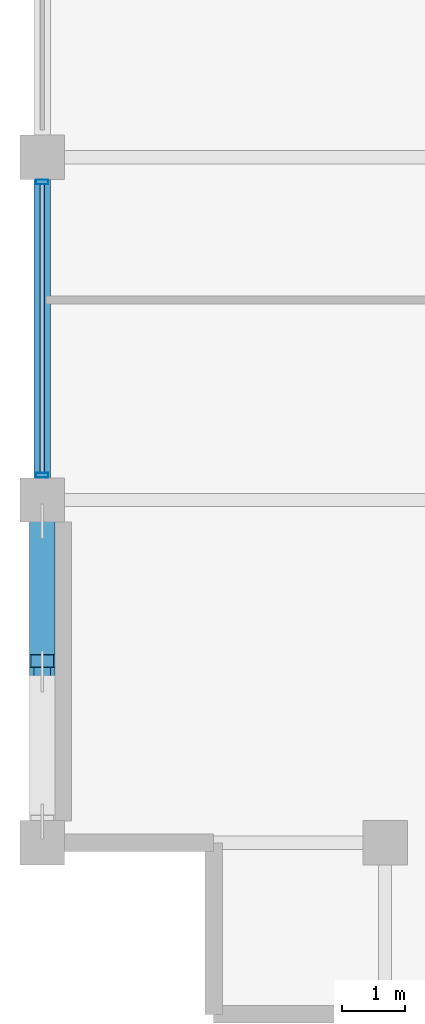
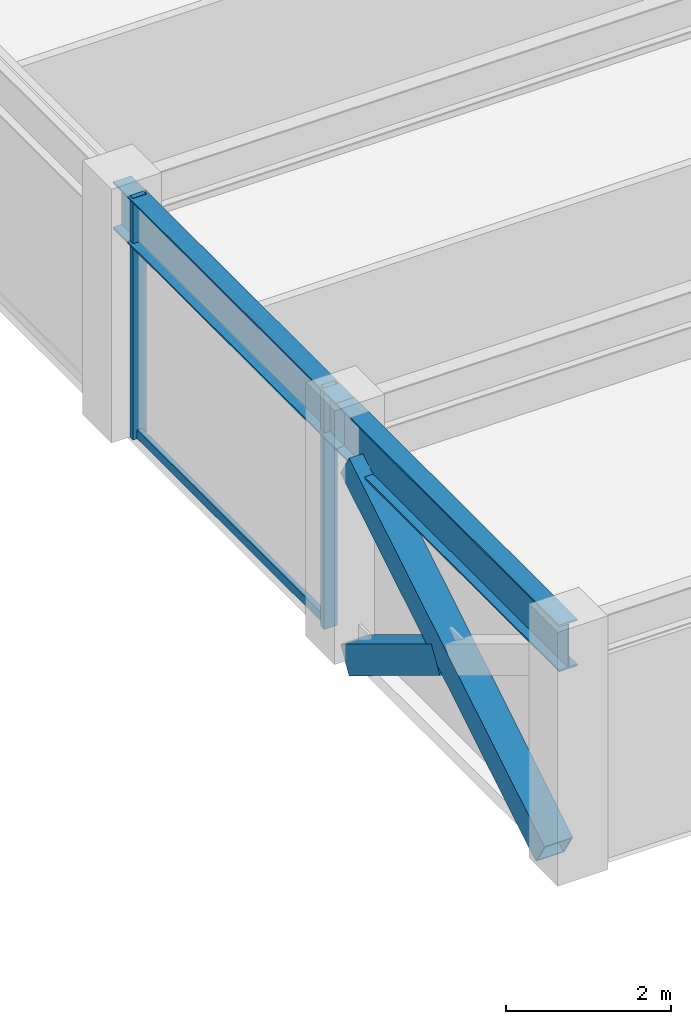
# One storey, part 4 of 31: 5 members, 2 beams, 1 element without a shape of its own.
"""IFC4 building model written with IfcOpenShell, lengths in metres."""

from ifc_helpers import new_model, si_unit, direction, frame, origin, origin_2d, place, context, subcontext, project, spatial, hollow_rectangle, i_section, extrude, material, layer, layer_set, material_profile, profile_set, type_object, element, aggregate, save


model = new_model("IFC4")

# Units and contexts
model_context = context("Model", 3, precision=1e-05, world=origin(), true_north=direction((0.0, 1.0)))
body_context = subcontext(model_context, "Body", "Model", "MODEL_VIEW")
ifc_project = project(units=[si_unit("LENGTHUNIT", "METRE"), si_unit("AREAUNIT", "SQUARE_METRE"), si_unit("VOLUMEUNIT", "CUBIC_METRE"), si_unit("PLANEANGLEUNIT", "RADIAN"), si_unit("MASSUNIT", "GRAM", prefix="KILO")], contexts=[model_context])

# Site, building, storey
site_placement = place(None, origin())
site = spatial("IfcSite", under=ifc_project, at=site_placement, CompositionType="ELEMENT")
building_placement = place(site_placement, origin())
building = spatial("IfcBuilding", under=site, at=building_placement, Name="Surkhivell Harbour Commons", CompositionType="ELEMENT")
storey_placement = place(building_placement, frame((0.0, 0.0, 288.75)))
storey = spatial("IfcBuildingStorey", under=building, at=storey_placement, Name="L75", CompositionType="ELEMENT", Elevation=288.75)

# Beams
ifc_material_1 = material(Name="Steel S355", Category="steel")
ifc_material_profile_1 = material_profile(ifc_material_1, i_section(OverallWidth=0.256103515625, OverallDepth=0.693115234375, WebThickness=0.014404296875, FlangeThickness=0.023681640625, at=origin_2d()), Name="UB686x254x170")
ifc_profile_set_1 = profile_set([ifc_material_profile_1], Name="Steel S355")
beam_type = type_object("IfcBeamType", Name="BM-SPN-686", PredefinedType="SPANDREL", material=ifc_profile_set_1)
beam_1_placement = place(storey_placement, frame((-27.0, -16.199951171875, 3.223388671875), z_axis=(0.0, 1.0, 0.0), x_axis=(-1.0, 0.0, 0.0)))
element("IfcBeam", 1, at=beam_1_placement, inside=storey, type_object=beam_type, Name="L75 Tube Spandrel (-27.0,-16.2)", PredefinedType="SPANDREL", context=body_context, shape_type="SweptSolid", body=[
    extrude(i_section(OverallWidth=0.256103515625, OverallDepth=0.693115234375, WebThickness=0.014404296875, FlangeThickness=0.023681640625, at=origin_2d()), origin(), (0.0, 0.0, 1.0), 5.39990234375),
])
beam_2_placement = place(storey_placement, frame((-27.0, -10.800048828125, 3.223388671875), z_axis=(0.0, 1.0, 0.0), x_axis=(-1.0, 0.0, 0.0)))
element("IfcBeam", 2, at=beam_2_placement, inside=storey, type_object=beam_type, Name="L75 Tube Spandrel (-27.0,-10.8)", PredefinedType="SPANDREL", context=body_context, shape_type="SweptSolid", body=[
    extrude(i_section(OverallWidth=0.256103515625, OverallDepth=0.693115234375, WebThickness=0.014404296875, FlangeThickness=0.023681640625, at=origin_2d()), origin(), (0.0, 0.0, 1.0), 5.400146484375),
])

# Curtain wall, members
ifc_material_2 = material(Name="Anodised pale-metal aluminium and insulated glazing", Category="aluminium")
ifc_layer = layer(ifc_material_2, 0.175048828125)
ifc_layer_set = layer_set([ifc_layer], Name="Anodised pale-metal aluminium and insulated glazing")
curtain_wall_type = type_object("IfcCurtainWallType", Name="CW-SYS-Z4", PredefinedType="NOTDEFINED", material=ifc_layer_set)
curtain_wall_placement = place(storey_placement, origin())
curtain_wall = element("IfcCurtainWall", 3, at=curtain_wall_placement, inside=storey, type_object=curtain_wall_type, Name="L75 Curtain Wall CW-L75-E12S1", PredefinedType="NOTDEFINED")
ifc_material_3 = material(Name="Anodised pale-metal aluminium alloy 6063-T6", Category="aluminium")
ifc_material_profile_2 = material_profile(ifc_material_3, hollow_rectangle(XDim=0.074951171875, YDim=0.18994140625, WallThickness=0.00390625, at=origin_2d()), Name="ALU-MULL-75x190")
ifc_profile_set_2 = profile_set([ifc_material_profile_2], Name="Anodised pale-metal aluminium alloy 6063-T6")
member_type_1 = type_object("IfcMemberType", Name="CWM-190", PredefinedType="MULLION", material=ifc_profile_set_2)
member_1_placement = place(storey_placement, frame((-27.0, -5.78955078125, 0.0), z_axis=(0.0, 0.0, 1.0), x_axis=(0.0, -1.0, 0.0)))
member_1 = element("IfcMember", 4, at=member_1_placement, type_object=member_type_1, Name="CW-Z4 mullion 6", PredefinedType="MULLION", context=body_context, shape_type="SweptSolid", body=[
    extrude(hollow_rectangle(XDim=0.074951171875, YDim=0.18994140625, WallThickness=0.00390625, at=origin_2d()), origin(), (0.0, 0.0, 1.0), 3.570068359375),
])
member_2_placement = place(storey_placement, frame((-27.0, -10.410400390625, 0.0), z_axis=(0.0, 0.0, 1.0), x_axis=(0.0, -1.0, 0.0)))
member_2 = element("IfcMember", 5, at=member_2_placement, type_object=member_type_1, Name="CW-Z4 mullion 7", PredefinedType="MULLION", context=body_context, shape_type="SweptSolid", body=[
    extrude(hollow_rectangle(XDim=0.074951171875, YDim=0.18994140625, WallThickness=0.00390625, at=origin_2d()), origin(), (0.0, 0.0, 1.0), 3.570068359375),
])
ifc_material_4 = material(Name="Champagne anodised aluminium alloy 6063-T6", Category="aluminium")
ifc_material_profile_3 = material_profile(ifc_material_4, hollow_rectangle(XDim=0.070068359375, YDim=0.1298828125, WallThickness=0.00341796875, at=origin_2d()), Name="ALU-TRAN-70x130")
ifc_profile_set_3 = profile_set([ifc_material_profile_3], Name="Champagne anodised aluminium alloy 6063-T6")
member_type_2 = type_object("IfcMemberType", Name="CWT-130", PredefinedType="USERDEFINED", material=ifc_profile_set_3)
member_3_placement = place(storey_placement, frame((-27.0, -5.826904296875, 0.06494140625), z_axis=(0.0, -1.0, 0.0), x_axis=(1.0, 0.0, 0.0)))
member_3 = element("IfcMember", 6, at=member_3_placement, type_object=member_type_2, Name="CW-Z4 transom 6.1", ObjectType="TRANSOM", PredefinedType="USERDEFINED", context=body_context, shape_type="SweptSolid", body=[
    extrude(hollow_rectangle(XDim=0.070068359375, YDim=0.1298828125, WallThickness=0.00341796875, at=origin_2d()), origin(), (0.0, 0.0, 1.0), 4.546142578125),
])
aggregate(curtain_wall, [member_1, member_2, member_3])

# Members
ifc_material_5 = material(Name="Steel S460", Category="steel")
ifc_material_profile_4 = material_profile(ifc_material_5, hollow_rectangle(XDim=0.39990234375, YDim=0.39990234375, WallThickness=0.02001953125, at=origin_2d()), Name="SHS400x400x20")
ifc_profile_set_4 = profile_set([ifc_material_profile_4], Name="Steel S460")
member_type_3 = type_object("IfcMemberType", Name="MEM-BRC-SHS400", PredefinedType="BRACE", material=ifc_profile_set_4)
member_4_placement = place(storey_placement, frame((-27.0, -15.864990234375, 0.008056640625), z_axis=(0.0, 0.854685454322, 0.519146197299), x_axis=(-1.0, 0.0, 0.0)))
element("IfcMember", 7, at=member_4_placement, inside=storey, type_object=member_type_3, Name="L75 Perimeter Mega-Brace MB- 10", PredefinedType="BRACE", context=body_context, shape_type="SweptSolid", body=[
    extrude(hollow_rectangle(XDim=0.39990234375, YDim=0.39990234375, WallThickness=0.02001953125, at=origin_2d()), origin(), (0.0, 0.0, 1.0), 5.5341796875),
])
member_5_placement = place(storey_placement, frame((-27.0, -11.135009765625, 0.008056640625), z_axis=(0.0, -0.854719912157, 0.519089464122), x_axis=(1.0, 0.0, 0.0)))
element("IfcMember", 8, at=member_5_placement, inside=storey, type_object=member_type_3, Name="L75 Perimeter Mega-Brace MB- 11", PredefinedType="BRACE", context=body_context, shape_type="SweptSolid", body=[
    extrude(hollow_rectangle(XDim=0.39990234375, YDim=0.39990234375, WallThickness=0.02001953125, at=origin_2d()), origin(), (0.0, 0.0, 1.0), 2.574951171875),
])

save(model, "model.ifc")
